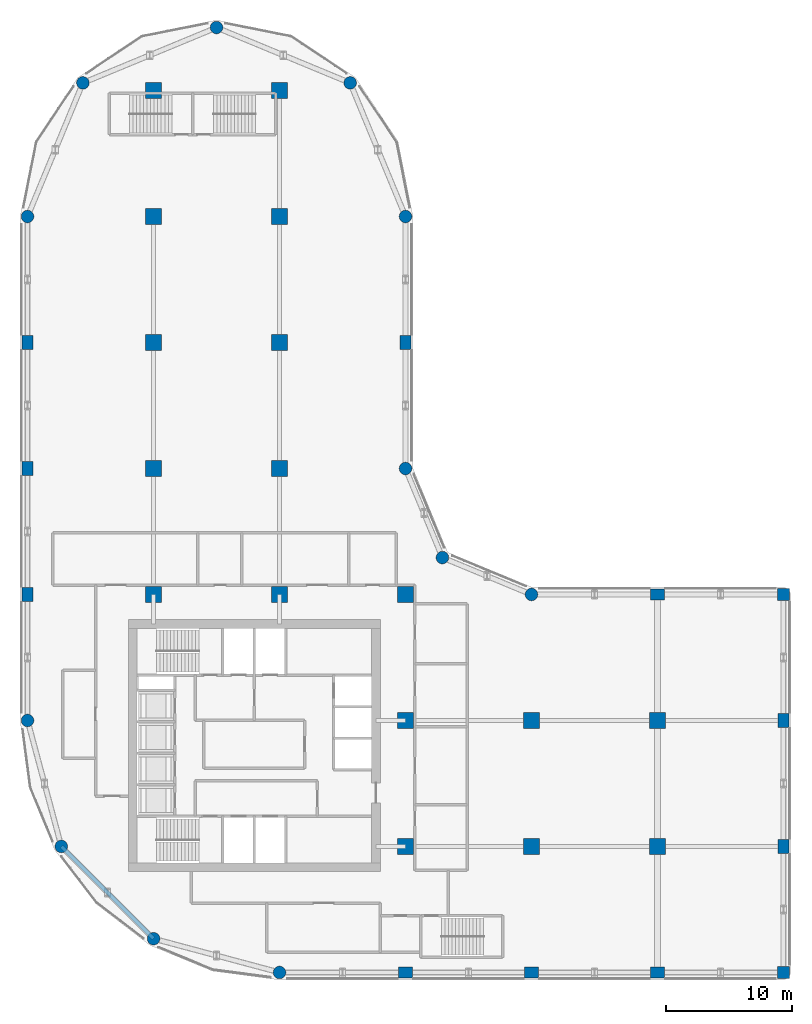
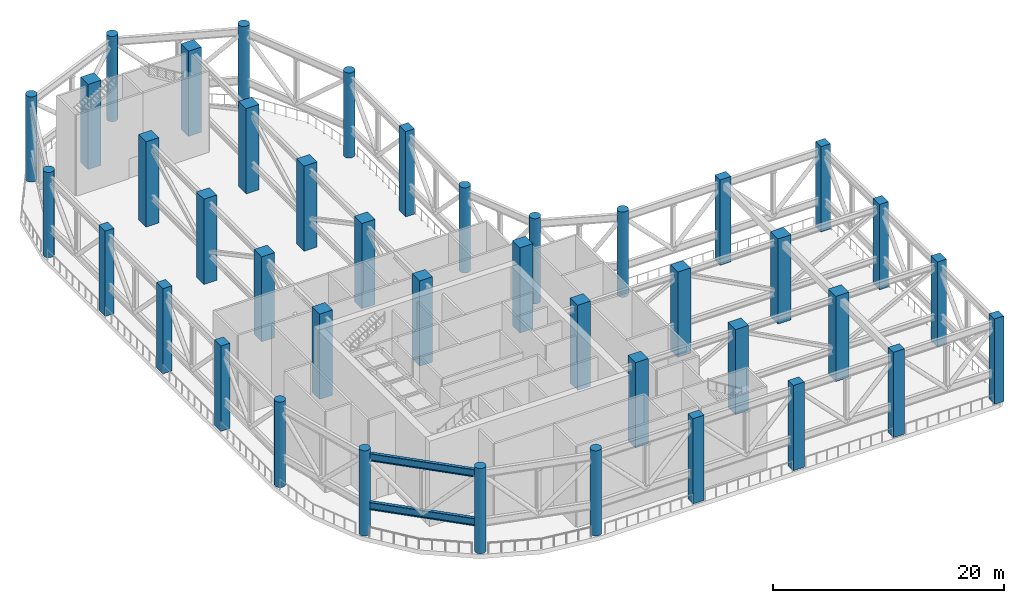
# One storey, part 1 of 13: 41 columns, 2 members.
"""IFC4 building model written with IfcOpenShell, lengths in metres."""

from ifc_helpers import new_model, si_unit, direction, frame, origin, origin_2d, place, context, subcontext, project, spatial, rectangle, circle, i_section, extrude, material, material_profile, profile_set, type_object, element, save


model = new_model("IFC4")

# Units and contexts
model_context = context("Model", 3, precision=1e-05, world=origin(), true_north=direction((0.0, 1.0)))
body_context = subcontext(model_context, "Body", "Model", "MODEL_VIEW")
ifc_project = project(units=[si_unit("LENGTHUNIT", "METRE"), si_unit("AREAUNIT", "SQUARE_METRE"), si_unit("VOLUMEUNIT", "CUBIC_METRE"), si_unit("PLANEANGLEUNIT", "RADIAN"), si_unit("MASSUNIT", "GRAM", prefix="KILO")], contexts=[model_context])

# Site, building, storey
site_placement = place(None, origin())
site = spatial("IfcSite", under=ifc_project, at=site_placement, CompositionType="ELEMENT")
building_placement = place(site_placement, origin())
building = spatial("IfcBuilding", under=site, at=building_placement, Name="Qaws Garden Tower", CompositionType="ELEMENT")
storey_placement = place(building_placement, frame((0.0, 0.0, 237.0)))
storey = spatial("IfcBuildingStorey", under=building, at=storey_placement, Name="L58", CompositionType="ELEMENT", Elevation=237.0)

# Columns
ifc_material_1 = material(Name="Concrete C70", Category="concrete")
ifc_material_profile_1 = material_profile(ifc_material_1, rectangle(XDim=1.10009765625, YDim=0.89990234375, at=origin_2d()), Name="RC 1100x900")
ifc_profile_set_1 = profile_set([ifc_material_profile_1], Name="Concrete C70")
column_type_1 = type_object("IfcColumnType", Name="Column RC 1100x900 C70", PredefinedType="COLUMN", material=ifc_profile_set_1)
for number, where, z_axis, x_axis, name in (
    (1, (30.0, 0.0, 0.0), (0.0, 0.0, 1.0), (1.0, 0.0, 0.0), "Column L58-002"),
    (2, (40.0, 0.0, 0.0), (0.0, 0.0, 1.0), (1.0, 0.0, 0.0), "Column L58-003"),
    (3, (50.0, 0.0, 0.0), (0.0, 0.0, 1.0), (1.0, 0.0, 0.0), "Column L58-004"),
    (4, (60.0, 10.0, 0.0), (0.0, 0.0, 1.0), (0.0, 1.0, 0.0), "Column L58-006"),
    (5, (60.0, 20.0, 0.0), (0.0, 0.0, 1.0), (0.0, 1.0, 0.0), "Column L58-007"),
    (6, (50.0, 30.0, 0.0), (0.0, 0.0, 1.0), (1.0, 0.0, 0.0), "Column L58-009"),
    (7, (30.0, 50.0, 0.0), (0.0, 0.0, 1.0), (0.0, 1.0, 0.0), "Column L58-013"),
    (8, (0.0, 50.0, 0.0), (0.0, 0.0, 1.0), (0.0, 1.0, 0.0), "Column L58-019"),
    (9, (0.0, 40.0, 0.0), (0.0, 0.0, 1.0), (0.0, 1.0, 0.0), "Column L58-020"),
    (10, (0.0, 30.0, 0.0), (0.0, 0.0, 1.0), (0.0, 1.0, 0.0), "Column L58-021"),
):
    element("IfcColumn", number, at=place(storey_placement, frame(where, z_axis=z_axis, x_axis=x_axis)), inside=storey, type_object=column_type_1, Name=name, PredefinedType="COLUMN", context=body_context, shape_type="SweptSolid", body=[
        extrude(rectangle(XDim=1.10009765625, YDim=0.89990234375, at=origin_2d()), origin(), (0.0, 0.0, 1.0), 9.0),
    ])
ifc_material_2 = material(Name="Concrete C70", Category="concrete")
ifc_material_profile_2 = material_profile(ifc_material_2, rectangle(XDim=1.300048828125, YDim=1.300048828125, at=origin_2d()), Name="RC 1300x1300")
ifc_profile_set_2 = profile_set([ifc_material_profile_2], Name="Concrete C70")
column_type_2 = type_object("IfcColumnType", Name="Column RC 1300x1300 C70", PredefinedType="COLUMN", material=ifc_profile_set_2)
for number, where, z_axis, x_axis, name in (
    (11, (10.0, 30.0, 0.0), (0.0, 0.0, 1.0), (1.0, 0.0, 0.0), "Column L58-025"),
    (12, (10.0, 40.0, 0.0), (0.0, 0.0, 1.0), (1.0, 0.0, 0.0), "Column L58-026"),
    (13, (10.0, 50.0, 0.0), (0.0, 0.0, 1.0), (1.0, 0.0, 0.0), "Column L58-027"),
    (14, (10.0, 60.0, 0.0), (0.0, 0.0, 1.0), (1.0, 0.0, 0.0), "Column L58-028"),
    (15, (10.0, 70.0, 0.0), (0.0, 0.0, 1.0), (1.0, 0.0, 0.0), "Column L58-029"),
    (16, (20.0, 30.0, 0.0), (0.0, 0.0, 1.0), (1.0, 0.0, 0.0), "Column L58-030"),
    (17, (20.0, 40.0, 0.0), (0.0, 0.0, 1.0), (1.0, 0.0, 0.0), "Column L58-031"),
    (18, (20.0, 50.0, 0.0), (0.0, 0.0, 1.0), (1.0, 0.0, 0.0), "Column L58-032"),
    (19, (20.0, 60.0, 0.0), (0.0, 0.0, 1.0), (1.0, 0.0, 0.0), "Column L58-033"),
    (20, (20.0, 70.0, 0.0), (0.0, 0.0, 1.0), (1.0, 0.0, 0.0), "Column L58-034"),
    (21, (30.0, 10.0, 0.0), (0.0, 0.0, 1.0), (1.0, 0.0, 0.0), "Column L58-035"),
    (22, (30.0, 20.0, 0.0), (0.0, 0.0, 1.0), (1.0, 0.0, 0.0), "Column L58-036"),
    (23, (30.0, 30.0, 0.0), (0.0, 0.0, 1.0), (1.0, 0.0, 0.0), "Column L58-037"),
    (24, (40.0, 10.0, 0.0), (0.0, 0.0, 1.0), (1.0, 0.0, 0.0), "Column L58-038"),
    (25, (40.0, 20.0, 0.0), (0.0, 0.0, 1.0), (1.0, 0.0, 0.0), "Column L58-039"),
    (26, (50.0, 10.0, 0.0), (0.0, 0.0, 1.0), (1.0, 0.0, 0.0), "Column L58-040"),
    (27, (50.0, 20.0, 0.0), (0.0, 0.0, 1.0), (1.0, 0.0, 0.0), "Column L58-041"),
):
    element("IfcColumn", number, at=place(storey_placement, frame(where, z_axis=z_axis, x_axis=x_axis)), inside=storey, type_object=column_type_2, Name=name, PredefinedType="COLUMN", context=body_context, shape_type="SweptSolid", body=[
        extrude(rectangle(XDim=1.300048828125, YDim=1.300048828125, at=origin_2d()), origin(), (0.0, 0.0, 1.0), 9.0),
    ])
ifc_material_3 = material(Name="Concrete C70", Category="concrete")
ifc_material_profile_3 = material_profile(ifc_material_3, rectangle(XDim=0.949951171875, YDim=0.949951171875, at=origin_2d()), Name="RC 950x950")
ifc_profile_set_3 = profile_set([ifc_material_profile_3], Name="Concrete C70")
column_type_3 = type_object("IfcColumnType", Name="Column RC 950x950 C70", PredefinedType="COLUMN", material=ifc_profile_set_3)
for number, where, z_axis, x_axis, name in (
    (28, (60.0, 0.0, 0.0), (0.0, 0.0, 1.0), (1.0, 0.0, 0.0), "Column L58-005"),
    (29, (60.0, 30.0, 0.0), (0.0, 0.0, 1.0), (1.0, 0.0, 0.0), "Column L58-008"),
):
    element("IfcColumn", number, at=place(storey_placement, frame(where, z_axis=z_axis, x_axis=x_axis)), inside=storey, type_object=column_type_3, Name=name, PredefinedType="COLUMN", context=body_context, shape_type="SweptSolid", body=[
        extrude(rectangle(XDim=0.949951171875, YDim=0.949951171875, at=origin_2d()), origin(), (0.0, 0.0, 1.0), 9.0),
    ])
ifc_material_4 = material(Name="Concrete C70", Category="concrete")
ifc_material_profile_4 = material_profile(ifc_material_4, circle(Radius=0.5, at=origin_2d()), Name="RC D1000")
ifc_profile_set_4 = profile_set([ifc_material_profile_4], Name="Concrete C70")
column_type_4 = type_object("IfcColumnType", Name="Column RC D1000 C70", PredefinedType="COLUMN", material=ifc_profile_set_4)
for number, where, z_axis, x_axis, name in (
    (30, (20.0, 0.0, 0.0), (0.0, 0.0, 1.0), (1.0, 0.0, 0.0), "Column L58-001"),
    (31, (40.0, 30.0, 0.0), (0.0, 0.0, 1.0), (1.0, 0.0, 0.0), "Column L58-010"),
    (32, (32.928955078125, 32.928955078125, 0.0), (0.0, 0.0, 1.0), (1.0, 0.0, 0.0), "Column L58-011"),
    (33, (30.0, 40.0, 0.0), (0.0, 0.0, 1.0), (1.0, 0.0, 0.0), "Column L58-012"),
    (34, (30.0, 60.0, 0.0), (0.0, 0.0, 1.0), (1.0, 0.0, 0.0), "Column L58-014"),
    (35, (25.606689453125, 70.606689453125, 0.0), (0.0, 0.0, 1.0), (1.0, 0.0, 0.0), "Column L58-015"),
    (36, (15.0, 75.0, 0.0), (0.0, 0.0, 1.0), (1.0, 0.0, 0.0), "Column L58-016"),
    (37, (4.393310546875, 70.606689453125, 0.0), (0.0, 0.0, 1.0), (1.0, 0.0, 0.0), "Column L58-017"),
    (38, (0.0, 60.0, 0.0), (0.0, 0.0, 1.0), (1.0, 0.0, 0.0), "Column L58-018"),
    (39, (0.0, 20.0, 0.0), (0.0, 0.0, 1.0), (1.0, 0.0, 0.0), "Column L58-022"),
    (40, (2.679443359375, 10.0, 0.0), (0.0, 0.0, 1.0), (1.0, 0.0, 0.0), "Column L58-023"),
    (41, (10.0, 2.679443359375, 0.0), (0.0, 0.0, 1.0), (1.0, 0.0, 0.0), "Column L58-024"),
):
    element("IfcColumn", number, at=place(storey_placement, frame(where, z_axis=z_axis, x_axis=x_axis)), inside=storey, type_object=column_type_4, Name=name, PredefinedType="COLUMN", context=body_context, shape_type="SweptSolid", body=[
        extrude(circle(Radius=0.5, at=origin_2d()), origin(), (0.0, 0.0, 1.0), 9.0),
    ])

# Members
ifc_material_5 = material(Name="Steel S355", Category="steel")
ifc_material_profile_5 = material_profile(ifc_material_5, i_section(OverallWidth=0.300048828125, OverallDepth=0.800048828125, WebThickness=0.017578125, FlangeThickness=0.032958984375, FilletRadius=0.030029296875, at=origin_2d()), Name="HEB 800")
ifc_profile_set_5 = profile_set([ifc_material_profile_5], Name="Steel S355")
member_type = type_object("IfcMemberType", Name="Belt chord HEB 800", PredefinedType="CHORD", material=ifc_profile_set_5)
for number, where, z_axis, x_axis, name in (
    (42, (2.679443359375, 10.0, 8.14990234375), (0.707106781187, -0.707106781187, 0.0), (0.707106781187, 0.707106781187, 0.0), "Belt truss top chord 23"),
    (43, (2.679443359375, 10.0, 3.0), (0.707106781187, -0.707106781187, 0.0), (0.707106781187, 0.707106781187, 0.0), "Belt truss bottom chord 23"),
):
    element("IfcMember", number, at=place(storey_placement, frame(where, z_axis=z_axis, x_axis=x_axis)), inside=storey, type_object=member_type, Name=name, PredefinedType="CHORD", context=body_context, shape_type="SweptSolid", body=[
        extrude(i_section(OverallWidth=0.300048828125, OverallDepth=0.800048828125, WebThickness=0.017578125, FlangeThickness=0.032958984375, FilletRadius=0.030029296875, at=origin_2d()), origin(), (0.0, 0.0, 1.0), 10.352783203125),
    ])

save(model, "model.ifc")
